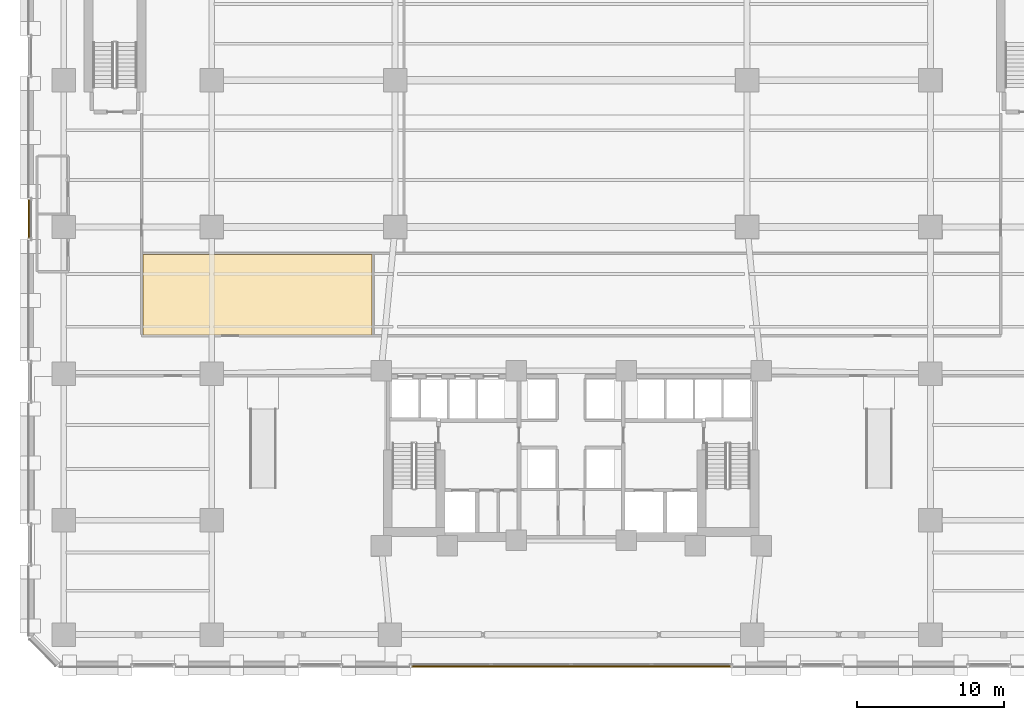
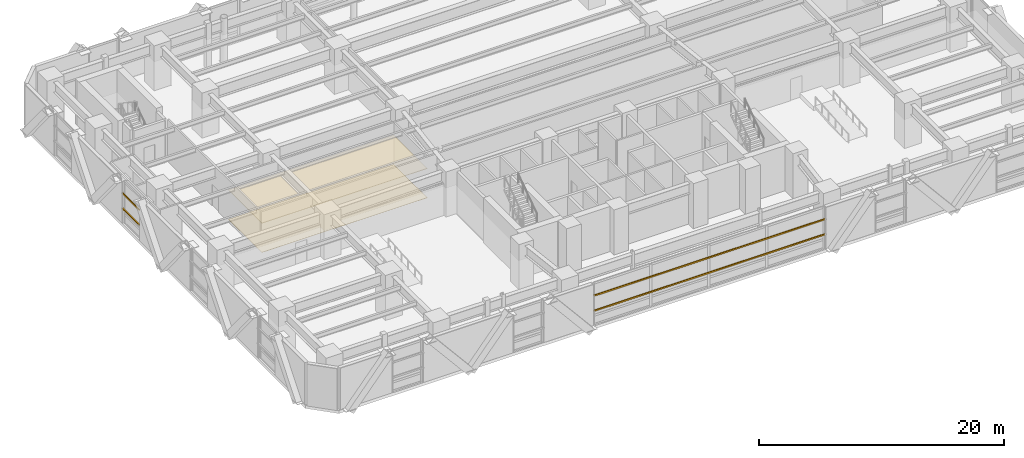
# One storey, part 21 of 26: 4 shading devices, 2 coverings.
"""IFC4 building model written with IfcOpenShell, lengths in metres."""

from ifc_helpers import new_model, si_unit, direction, frame, origin, origin_2d, place, context, subcontext, project, spatial, polyline, rectangle, outline, extrude, material, layer, layer_set, material_profile, profile_set, type_object, element, save


model = new_model("IFC4")

# Units and contexts
model_context = context("Model", 3, precision=1e-05, world=origin(), true_north=direction((0.0, 1.0)))
body_context = subcontext(model_context, "Body", "Model", "MODEL_VIEW")
ifc_project = project(units=[si_unit("LENGTHUNIT", "METRE"), si_unit("AREAUNIT", "SQUARE_METRE"), si_unit("VOLUMEUNIT", "CUBIC_METRE"), si_unit("PLANEANGLEUNIT", "RADIAN"), si_unit("MASSUNIT", "GRAM", prefix="KILO")], contexts=[model_context])

# Site, building, storey
site_placement = place(None, origin())
site = spatial("IfcSite", under=ifc_project, at=site_placement, CompositionType="ELEMENT")
building_placement = place(site_placement, origin())
building = spatial("IfcBuilding", under=site, at=building_placement, Name="Quenlor Broadcast Tower", CompositionType="ELEMENT")
storey_placement = place(building_placement, frame((0.0, 0.0, 5.0)))
storey = spatial("IfcBuildingStorey", under=building, at=storey_placement, Name="L01", CompositionType="ELEMENT", Elevation=5.0)

# Covering
ifc_material_1 = material(Name="Acoustic Gypsum Board", Category="other")
ifc_layer_1 = layer(ifc_material_1, 0.0400390625)
ifc_layer_set_1 = layer_set([ifc_layer_1], Name="Broadcast Studio Spring Isolated Ceiling 40")
covering_type_1 = type_object("IfcCoveringType", Name="Broadcast Studio Spring Isolated Ceiling 40", PredefinedType="CEILING", material=ifc_layer_set_1)
covering_1_placement = place(storey_placement, frame((0.0, 0.0, 2.909912109375)))
element("IfcCovering", 1, at=covering_1_placement, inside=storey, type_object=covering_type_1, Name="L01 Acoustic Ceiling L01-35", PredefinedType="CEILING", context=body_context, shape_type="SweptSolid", body=[
    extrude(outline(polyline([(-13.580078125, -2.360107421875), (-29.199951171875, -2.360107421875), (-29.199951171875, 3.1201171875), (-13.580078125, 3.1201171875), (-13.580078125, -2.360107421875)])), origin(), (0.0, 0.0, 1.0), 0.0400390625),
])

# Shading devices
ifc_material_2 = material(Name="Architectural Terracotta Ceramic", Category="masonry")
ifc_material_profile = material_profile(ifc_material_2, rectangle(XDim=0.090087890625, YDim=0.139892578125, at=origin_2d()))
ifc_profile_set = profile_set([ifc_material_profile], Name="Architectural Terracotta Ceramic BAG90x140")
shading_device_type = type_object("IfcShadingDeviceType", Name="Copper Terracotta Baguette Solar Screen 140", PredefinedType="USERDEFINED", material=ifc_profile_set)
for number, where, z_axis, x_axis, name in (
    (2, (10.909423828125, -24.972900390625, 1.511962890625), (-1.0, 0.0, 0.0), (0.0, -1.0, 0.0), "L01 Terracotta Baguette Screen 1"),
    (3, (10.909423828125, -24.972900390625, 3.02392578125), (-1.0, 0.0, 0.0), (0.0, -1.0, 0.0), "L01 Terracotta Baguette Screen 2"),
):
    element("IfcShadingDevice", number, at=place(storey_placement, frame(where, z_axis=z_axis, x_axis=x_axis)), inside=storey, type_object=shading_device_type, Name=name, ObjectType="BAGUETTE", PredefinedType="USERDEFINED", context=body_context, shape_type="SweptSolid", body=[
        extrude(rectangle(XDim=0.090087890625, YDim=0.139892578125, at=origin_2d()), origin(), (0.0, 0.0, 1.0), 21.81884765625),
    ])
for number, where, z_axis, x_axis, name in (
    (4, (-36.972900390625, 4.193603515625, 1.511962890625), (0.0, 1.0, 0.0), (-1.0, 0.0, 0.0), "L01 Terracotta Baguette Screen 1"),
    (5, (-36.972900390625, 4.193603515625, 3.02392578125), (0.0, 1.0, 0.0), (-1.0, 0.0, 0.0), "L01 Terracotta Baguette Screen 2"),
):
    element("IfcShadingDevice", number, at=place(storey_placement, frame(where, z_axis=z_axis, x_axis=x_axis)), inside=storey, type_object=shading_device_type, Name=name, ObjectType="BAGUETTE", PredefinedType="USERDEFINED", context=body_context, shape_type="SweptSolid", body=[
        extrude(rectangle(XDim=0.090087890625, YDim=0.139892578125, at=origin_2d()), origin(), (0.0, 0.0, 1.0), 2.712646484375),
    ])

# Covering
ifc_material_3 = material(Name="Terrazzo Stone Finish", Category="masonry")
ifc_layer_2 = layer(ifc_material_3, 0.02001953125)
ifc_layer_set_2 = layer_set([ifc_layer_2], Name="Polished Sandstone Terrazzo Flooring 20")
covering_type_2 = type_object("IfcCoveringType", Name="Polished Sandstone Terrazzo Flooring 20", PredefinedType="FLOORING", material=ifc_layer_set_2)
covering_2_placement = place(storey_placement, origin())
element("IfcCovering", 6, at=covering_2_placement, inside=storey, type_object=covering_type_2, Name="L01 Terrazzo Flooring L01-35", PredefinedType="FLOORING", context=body_context, shape_type="SweptSolid", body=[
    extrude(outline(polyline([(-13.580078125, -2.360107421875), (-29.199951171875, -2.360107421875), (-29.199951171875, 3.1201171875), (-13.580078125, 3.1201171875), (-13.580078125, -2.360107421875)])), origin(), (0.0, 0.0, 1.0), 0.02001953125),
])

save(model, "model.ifc")
